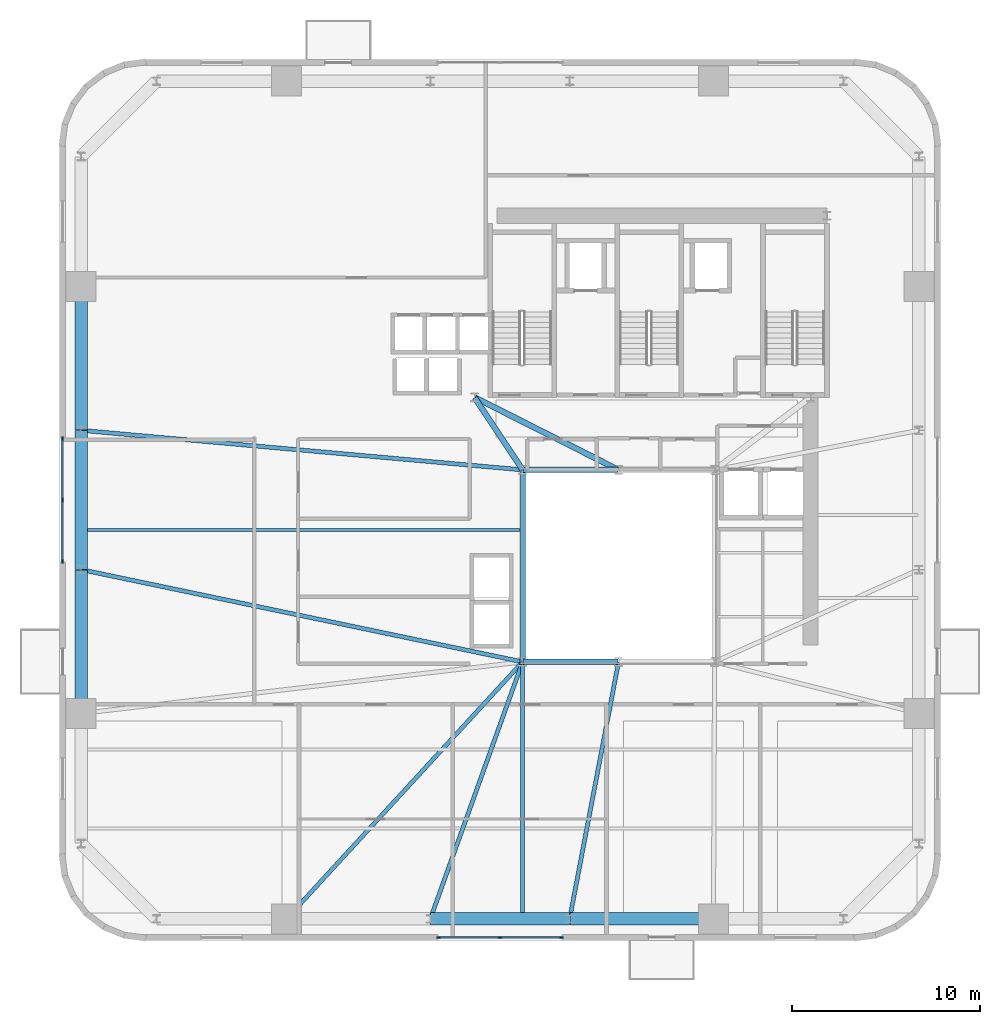
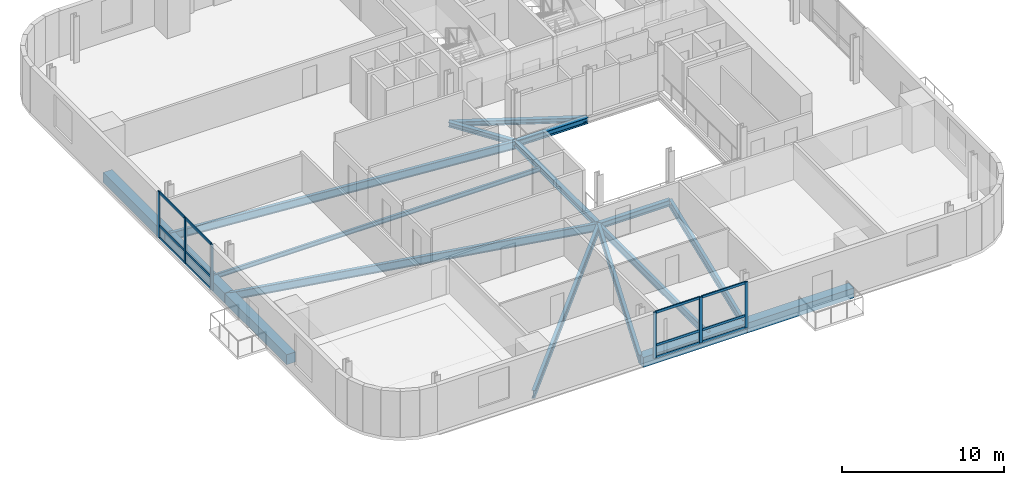
# One storey, part 2 of 13: 18 members, 17 beams, 2 elements without a shape of their own.
"""IFC4 building model written with IfcOpenShell, lengths in metres."""

from ifc_helpers import new_model, si_unit, direction, frame, origin, origin_2d, place, context, subcontext, project, spatial, rectangle, i_section, extrude, source, transform, mapped, material, material_profile, profile_set, type_object, element, aggregate, save


model = new_model("IFC4")

# Units and contexts
model_context = context("Model", 3, precision=1e-05, world=origin(), true_north=direction((0.0, 1.0)))
body_context = subcontext(model_context, "Body", "Model", "MODEL_VIEW")
ifc_project = project(units=[si_unit("LENGTHUNIT", "METRE"), si_unit("AREAUNIT", "SQUARE_METRE"), si_unit("VOLUMEUNIT", "CUBIC_METRE"), si_unit("PLANEANGLEUNIT", "RADIAN"), si_unit("MASSUNIT", "GRAM", prefix="KILO")], contexts=[model_context])

# Site, building, storey
site_placement = place(None, origin())
site = spatial("IfcSite", under=ifc_project, at=site_placement, CompositionType="ELEMENT")
building_placement = place(site_placement, origin())
building = spatial("IfcBuilding", under=site, at=building_placement, Name="Vardaveli Station Tower", CompositionType="ELEMENT")
storey_placement = place(building_placement, frame((0.0, 0.0, 159.39990234375)))
storey = spatial("IfcBuildingStorey", under=building, at=storey_placement, Name="L41", CompositionType="ELEMENT", Elevation=159.39990234375)

# Beams
ifc_material_1 = material(Name="Structural steel S355J2", Category="steel")
ifc_material_profile_1 = material_profile(ifc_material_1, i_section(OverallWidth=0.300048828125, OverallDepth=0.449951171875, WebThickness=0.013916015625, FlangeThickness=0.02587890625, FilletRadius=0.027099609375, at=origin_2d()), Name="HEB 450")
ifc_profile_set_1 = profile_set([ifc_material_profile_1], Name="Structural steel S355J2")
beam_type_1 = type_object("IfcBeamType", Name="BM-HEB450", PredefinedType="BEAM", material=ifc_profile_set_1)
shared_shape_1 = source(origin(), body_context, "Body", "SweptSolid", [
    extrude(i_section(OverallWidth=0.300048828125, OverallDepth=0.449951171875, WebThickness=0.013916015625, FlangeThickness=0.02587890625, FilletRadius=0.027099609375, at=origin_2d()), origin(), (0.0, 0.0, 1.0), 5.06005859375),
])
for number, where, z_axis, x_axis, name in (
    (1, (31.219970703125, 16.60009765625, -0.46484375), (1.0, 0.0, 0.0), (0.0, 1.0, 0.0), "ABM-L41-01"),
    (2, (36.280029296875, 26.800048828125, -0.46484375), (-1.0, 0.0, 0.0), (0.0, -1.0, 0.0), "ABM-L41-05"),
):
    element("IfcBeam", number, at=place(storey_placement, frame(where, z_axis=z_axis, x_axis=x_axis)), inside=storey, type_object=beam_type_1, Name=name, PredefinedType="BEAM", context=body_context, shape_type="MappedRepresentation", body=[
        mapped(shared_shape_1, transform((0.0, 0.0, 0.0), scale=1.0)),
    ])
shared_shape_2 = source(origin(), body_context, "Body", "SweptSolid", [
    extrude(i_section(OverallWidth=0.300048828125, OverallDepth=0.449951171875, WebThickness=0.013916015625, FlangeThickness=0.02587890625, FilletRadius=0.027099609375, at=origin_2d()), origin(), (0.0, 0.0, 1.0), 10.159912109375),
])
beam_1_placement = place(storey_placement, frame((31.199951171875, 26.780029296875, -0.46484375), z_axis=(0.0, -1.0, 0.0), x_axis=(1.0, 0.0, 0.0)))
element("IfcBeam", 3, at=beam_1_placement, inside=storey, type_object=beam_type_1, Name="ABM-L41-06", PredefinedType="BEAM", context=body_context, shape_type="MappedRepresentation", body=[
    mapped(shared_shape_2, transform((0.0, 0.0, 0.0), scale=1.0)),
])
ifc_material_profile_2 = material_profile(ifc_material_1, i_section(OverallWidth=0.300048828125, OverallDepth=0.360107421875, WebThickness=0.012451171875, FlangeThickness=0.0224609375, FilletRadius=0.027099609375, at=origin_2d()), Name="HEB 360")
ifc_profile_set_2 = profile_set([ifc_material_profile_2], Name="Structural steel S355J2")
beam_type_2 = type_object("IfcBeamType", Name="BM-HEB360", PredefinedType="BEAM", material=ifc_profile_set_2)
shared_shape_3 = source(origin(), body_context, "Body", "SweptSolid", [
    extrude(i_section(OverallWidth=0.300048828125, OverallDepth=0.360107421875, WebThickness=0.012451171875, FlangeThickness=0.0224609375, FilletRadius=0.027099609375, at=origin_2d()), origin(), (0.0, 0.0, 1.0), 4.577880859375),
])
beam_2_placement = place(storey_placement, frame((31.18896484375, 26.816650390625, -0.419921875), z_axis=(-0.55218702139, 0.833720272879, 0.0), x_axis=(-0.833720272879, -0.55218702139, 0.0)))
element("IfcBeam", 4, at=beam_2_placement, inside=storey, type_object=beam_type_2, Name="CBM-L41-01", PredefinedType="BEAM", context=body_context, shape_type="MappedRepresentation", body=[
    mapped(shared_shape_3, transform((0.0, 0.0, 0.0), scale=1.0)),
])
shared_shape_4 = source(origin(), body_context, "Body", "SweptSolid", [
    extrude(i_section(OverallWidth=0.300048828125, OverallDepth=0.360107421875, WebThickness=0.012451171875, FlangeThickness=0.0224609375, FilletRadius=0.027099609375, at=origin_2d()), origin(), (0.0, 0.0, 1.0), 8.524169921875),
])
beam_3_placement = place(storey_placement, frame((28.66796875, 30.64111328125, -0.419921875), z_axis=(0.893255584708, -0.449549174605, 0.0), x_axis=(0.449549174605, 0.893255584708, 0.0)))
element("IfcBeam", 5, at=beam_3_placement, inside=storey, type_object=beam_type_2, Name="CBM-L41-03", PredefinedType="BEAM", context=body_context, shape_type="MappedRepresentation", body=[
    mapped(shared_shape_4, transform((0.0, 0.0, 0.0), scale=1.0)),
])
ifc_material_2 = material(Name="Precast concrete C45/55", Category="concrete")
ifc_material_profile_3 = material_profile(ifc_material_2, rectangle(XDim=0.64990234375, YDim=0.75, at=origin_2d()), Name="LPB 650x750")
ifc_profile_set_3 = profile_set([ifc_material_profile_3], Name="Precast concrete C45/55")
beam_type_3 = type_object("IfcBeamType", Name="BM-LPB-750", PredefinedType="BEAM", material=ifc_profile_set_3)
shared_shape_5 = source(origin(), body_context, "Body", "SweptSolid", [
    extrude(rectangle(XDim=0.64990234375, YDim=0.75, at=origin_2d()), origin(), (0.0, 0.0, 1.0), 7.60009765625),
])
for number, where, z_axis, x_axis, name in (
    (6, (33.719970703125, 2.949951171875, -0.614990234375), (1.0, 0.0, 0.0), (0.0, 1.0, 0.0), "RBM-L41-03"),
    (7, (7.75, 36.52001953125, -0.614990234375), (0.0, -1.0, 0.0), (1.0, 0.0, 0.0), "RBM-L41-19"),
    (8, (7.75, 21.47998046875, -0.614990234375), (0.0, -1.0, 0.0), (1.0, 0.0, 0.0), "RBM-L41-21"),
):
    element("IfcBeam", number, at=place(storey_placement, frame(where, z_axis=z_axis, x_axis=x_axis)), inside=storey, type_object=beam_type_3, Name=name, PredefinedType="BEAM", context=body_context, shape_type="MappedRepresentation", body=[
        mapped(shared_shape_5, transform((0.0, 0.0, 0.0), scale=1.0)),
    ])
shared_shape_6 = source(origin(), body_context, "Body", "SweptSolid", [
    extrude(rectangle(XDim=0.64990234375, YDim=0.75, at=origin_2d()), origin(), (0.0, 0.0, 1.0), 7.35986328125),
])
for number, where, z_axis, x_axis, name in (
    (9, (26.320068359375, 2.949951171875, -0.614990234375), (1.0, 0.0, 0.0), (0.0, 1.0, 0.0), "RBM-L41-02"),
    (10, (7.75, 28.8798828125, -0.614990234375), (0.0, -1.0, 0.0), (1.0, 0.0, 0.0), "RBM-L41-20"),
):
    element("IfcBeam", number, at=place(storey_placement, frame(where, z_axis=z_axis, x_axis=x_axis)), inside=storey, type_object=beam_type_3, Name=name, PredefinedType="BEAM", context=body_context, shape_type="MappedRepresentation", body=[
        mapped(shared_shape_6, transform((0.0, 0.0, 0.0), scale=1.0)),
    ])
ifc_material_profile_4 = material_profile(ifc_material_1, i_section(OverallWidth=0.2099609375, OverallDepth=0.550048828125, WebThickness=0.010986328125, FlangeThickness=0.01708984375, FilletRadius=0.02392578125, at=origin_2d()), Name="IPE 550")
ifc_profile_set_4 = profile_set([ifc_material_profile_4], Name="Structural steel S355J2")
beam_type_4 = type_object("IfcBeamType", Name="BM-IPE550", PredefinedType="BEAM", material=ifc_profile_set_4)
shared_shape_7 = source(origin(), body_context, "Body", "SweptSolid", [
    extrude(i_section(OverallWidth=0.2099609375, OverallDepth=0.550048828125, WebThickness=0.010986328125, FlangeThickness=0.01708984375, FilletRadius=0.02392578125, at=origin_2d()), origin(), (0.0, 0.0, 1.0), 13.469970703125),
])
beam_4_placement = place(storey_placement, frame((31.199951171875, 2.989990234375, -0.514892578125), z_axis=(0.0, 1.0, 0.0), x_axis=(-1.0, 0.0, 0.0)))
element("IfcBeam", 11, at=beam_4_placement, inside=storey, type_object=beam_type_4, Name="NSM-L41-S1", PredefinedType="BEAM", context=body_context, shape_type="MappedRepresentation", body=[
    mapped(shared_shape_7, transform((0.0, 0.0, 0.0), scale=1.0)),
])
ifc_material_profile_5 = material_profile(ifc_material_1, i_section(OverallWidth=0.159912109375, OverallDepth=0.330078125, WebThickness=0.007568359375, FlangeThickness=0.011474609375, FilletRadius=0.01806640625, at=origin_2d()), Name="IPE 330")
ifc_profile_set_5 = profile_set([ifc_material_profile_5], Name="Structural steel S355J2")
beam_type_5 = type_object("IfcBeamType", Name="BM-IPE330", PredefinedType="JOIST", material=ifc_profile_set_5)
shared_shape_8 = source(origin(), body_context, "Body", "SweptSolid", [
    extrude(i_section(OverallWidth=0.159912109375, OverallDepth=0.330078125, WebThickness=0.007568359375, FlangeThickness=0.011474609375, FilletRadius=0.01806640625, at=origin_2d()), origin(), (0.0, 0.0, 1.0), 23.2978515625),
])
beam_5_placement = place(storey_placement, frame((7.7900390625, 23.60009765625, -0.40478515625), z_axis=(1.0, 0.0, 0.0), x_axis=(0.0, 1.0, 0.0)))
element("IfcBeam", 12, at=beam_5_placement, inside=storey, type_object=beam_type_5, Name="SJ-L41-W06", PredefinedType="JOIST", context=body_context, shape_type="MappedRepresentation", body=[
    mapped(shared_shape_8, transform((0.0, 0.0, 0.0), scale=1.0)),
])
ifc_material_profile_6 = material_profile(ifc_material_1, i_section(OverallWidth=0.219970703125, OverallDepth=0.60009765625, WebThickness=0.011962890625, FlangeThickness=0.01904296875, FilletRadius=0.02392578125, at=origin_2d()), Name="IPE 600")
ifc_profile_set_6 = profile_set([ifc_material_profile_6], Name="Structural steel S355J2")
beam_type_6 = type_object("IfcBeamType", Name="BM-IPE600", PredefinedType="BEAM", material=ifc_profile_set_6)
shared_shape_9 = source(origin(), body_context, "Body", "SweptSolid", [
    extrude(i_section(OverallWidth=0.219970703125, OverallDepth=0.60009765625, WebThickness=0.011962890625, FlangeThickness=0.01904296875, FilletRadius=0.02392578125, at=origin_2d()), origin(), (0.0, 0.0, 1.0), 18.49560546875),
])
beam_6_placement = place(storey_placement, frame((18.673583984375, 2.96484375, -0.539794921875), z_axis=(0.676535341891, 0.736410165039, 0.0), x_axis=(-0.736410165039, 0.676535341891, 0.0)))
element("IfcBeam", 13, at=beam_6_placement, inside=storey, type_object=beam_type_6, Name="GBM-L41-01", PredefinedType="BEAM", context=body_context, shape_type="MappedRepresentation", body=[
    mapped(shared_shape_9, transform((0.0, 0.0, 0.0), scale=1.0)),
])
shared_shape_10 = source(origin(), body_context, "Body", "SweptSolid", [
    extrude(i_section(OverallWidth=0.219970703125, OverallDepth=0.60009765625, WebThickness=0.011962890625, FlangeThickness=0.01904296875, FilletRadius=0.02392578125, at=origin_2d()), origin(), (0.0, 0.0, 1.0), 14.462890625),
])
beam_7_placement = place(storey_placement, frame((26.306640625, 2.96875, -0.539794921875), z_axis=(0.337880090533, 0.941189165057, 0.0), x_axis=(-0.941189165057, 0.337880090533, 0.0)))
element("IfcBeam", 14, at=beam_7_placement, inside=storey, type_object=beam_type_6, Name="GBM-L41-02", PredefinedType="BEAM", context=body_context, shape_type="MappedRepresentation", body=[
    mapped(shared_shape_10, transform((0.0, 0.0, 0.0), scale=1.0)),
])
shared_shape_11 = source(origin(), body_context, "Body", "SweptSolid", [
    extrude(i_section(OverallWidth=0.219970703125, OverallDepth=0.60009765625, WebThickness=0.011962890625, FlangeThickness=0.01904296875, FilletRadius=0.02392578125, at=origin_2d()), origin(), (0.0, 0.0, 1.0), 13.855224609375),
])
beam_8_placement = place(storey_placement, frame((33.703857421875, 2.9697265625, -0.539794921875), z_axis=(0.187097533125, 0.982341342456, 0.0), x_axis=(-0.982341342456, 0.187097533125, 0.0)))
element("IfcBeam", 15, at=beam_8_placement, inside=storey, type_object=beam_type_6, Name="GBM-L41-03", PredefinedType="BEAM", context=body_context, shape_type="MappedRepresentation", body=[
    mapped(shared_shape_11, transform((0.0, 0.0, 0.0), scale=1.0)),
])
shared_shape_12 = source(origin(), body_context, "Body", "SweptSolid", [
    extrude(i_section(OverallWidth=0.219970703125, OverallDepth=0.60009765625, WebThickness=0.011962890625, FlangeThickness=0.01904296875, FilletRadius=0.02392578125, at=origin_2d()), origin(), (0.0, 0.0, 1.0), 23.50390625),
])
beam_9_placement = place(storey_placement, frame((7.77001953125, 28.898193359375, -0.539794921875), z_axis=(0.996014142198, -0.08919545135, 0.0), x_axis=(0.08919545135, 0.996014142198, 0.0)))
element("IfcBeam", 16, at=beam_9_placement, inside=storey, type_object=beam_type_6, Name="GBM-L41-08", PredefinedType="BEAM", context=body_context, shape_type="MappedRepresentation", body=[
    mapped(shared_shape_12, transform((0.0, 0.0, 0.0), scale=1.0)),
])
shared_shape_13 = source(origin(), body_context, "Body", "SweptSolid", [
    extrude(i_section(OverallWidth=0.219970703125, OverallDepth=0.60009765625, WebThickness=0.011962890625, FlangeThickness=0.01904296875, FilletRadius=0.02392578125, at=origin_2d()), origin(), (0.0, 0.0, 1.0), 23.91650390625),
])
beam_10_placement = place(storey_placement, frame((7.76953125, 21.495849609375, -0.539794921875), z_axis=(0.978858547354, -0.204538368703, 0.0), x_axis=(0.204538368703, 0.978858547354, 0.0)))
element("IfcBeam", 17, at=beam_10_placement, inside=storey, type_object=beam_type_6, Name="GBM-L41-09", PredefinedType="BEAM", context=body_context, shape_type="MappedRepresentation", body=[
    mapped(shared_shape_13, transform((0.0, 0.0, 0.0), scale=1.0)),
])

# Curtain wall, members
ifc_material_3 = material(Name="Travertine stone and solar-control glass", Category="masonry")
curtain_wall_type = type_object("IfcCurtainWallType", Name="CW-SYS-2", PredefinedType="NOTDEFINED", material=ifc_material_3)
curtain_wall_1_placement = place(storey_placement, origin())
curtain_wall_1 = element("IfcCurtainWall", 18, at=curtain_wall_1_placement, inside=storey, type_object=curtain_wall_type, Name="CW-L41-S", PredefinedType="NOTDEFINED")
ifc_material_4 = material(Name="Anodised aluminium alloy 6063-T6", Category="aluminium")
ifc_material_profile_7 = material_profile(ifc_material_4, rectangle(XDim=0.0849609375, YDim=0.179931640625, at=origin_2d()), Name="CWT 85x180")
ifc_profile_set_7 = profile_set([ifc_material_profile_7], Name="Anodised aluminium alloy 6063-T6")
member_type_1 = type_object("IfcMemberType", Name="CW-SYS-2-TRAN", PredefinedType="NOTDEFINED", material=ifc_profile_set_7)
shared_shape_14 = source(origin(), body_context, "Body", "SweptSolid", [
    extrude(rectangle(XDim=0.0849609375, YDim=0.179931640625, at=origin_2d()), origin(), (0.0, 0.0, 1.0), 3.172607421875),
])
member_1_placement = place(storey_placement, frame((26.784912109375, 1.9599609375, 0.04248046875), z_axis=(1.0, 0.0, 0.0), x_axis=(0.0, 1.0, 0.0)))
member_1 = element("IfcMember", 19, at=member_1_placement, type_object=member_type_1, Name="CW-2 transom 1.1", ObjectType="TRANSOM", PredefinedType="USERDEFINED", context=body_context, shape_type="MappedRepresentation", body=[
    mapped(shared_shape_14, transform((0.0, 0.0, 0.0), scale=1.0)),
])
member_2_placement = place(storey_placement, frame((26.784912109375, 1.9599609375, 0.9501953125), z_axis=(1.0, 0.0, 0.0), x_axis=(0.0, 1.0, 0.0)))
member_2 = element("IfcMember", 20, at=member_2_placement, type_object=member_type_1, Name="CW-2 transom 1.2", ObjectType="TRANSOM", PredefinedType="USERDEFINED", context=body_context, shape_type="MappedRepresentation", body=[
    mapped(shared_shape_14, transform((0.0, 0.0, 0.0), scale=1.0)),
])
member_3_placement = place(storey_placement, frame((26.784912109375, 1.9599609375, 3.41748046875), z_axis=(1.0, 0.0, 0.0), x_axis=(0.0, 1.0, 0.0)))
member_3 = element("IfcMember", 21, at=member_3_placement, type_object=member_type_1, Name="CW-2 transom 1.3", ObjectType="TRANSOM", PredefinedType="USERDEFINED", context=body_context, shape_type="MappedRepresentation", body=[
    mapped(shared_shape_14, transform((0.0, 0.0, 0.0), scale=1.0)),
])
member_4_placement = place(storey_placement, frame((30.04248046875, 1.9599609375, 0.04248046875), z_axis=(1.0, 0.0, 0.0), x_axis=(0.0, 1.0, 0.0)))
member_4 = element("IfcMember", 22, at=member_4_placement, type_object=member_type_1, Name="CW-2 transom 2.1", ObjectType="TRANSOM", PredefinedType="USERDEFINED", context=body_context, shape_type="MappedRepresentation", body=[
    mapped(shared_shape_14, transform((0.0, 0.0, 0.0), scale=1.0)),
])
member_5_placement = place(storey_placement, frame((30.04248046875, 1.9599609375, 0.9501953125), z_axis=(1.0, 0.0, 0.0), x_axis=(0.0, 1.0, 0.0)))
member_5 = element("IfcMember", 23, at=member_5_placement, type_object=member_type_1, Name="CW-2 transom 2.2", ObjectType="TRANSOM", PredefinedType="USERDEFINED", context=body_context, shape_type="MappedRepresentation", body=[
    mapped(shared_shape_14, transform((0.0, 0.0, 0.0), scale=1.0)),
])
member_6_placement = place(storey_placement, frame((30.04248046875, 1.9599609375, 3.41748046875), z_axis=(1.0, 0.0, 0.0), x_axis=(0.0, 1.0, 0.0)))
member_6 = element("IfcMember", 24, at=member_6_placement, type_object=member_type_1, Name="CW-2 transom 2.3", ObjectType="TRANSOM", PredefinedType="USERDEFINED", context=body_context, shape_type="MappedRepresentation", body=[
    mapped(shared_shape_14, transform((0.0, 0.0, 0.0), scale=1.0)),
])

curtain_wall_2_placement = place(storey_placement, origin())
curtain_wall_2 = element("IfcCurtainWall", 25, at=curtain_wall_2_placement, inside=storey, type_object=curtain_wall_type, Name="CW-L41-W", PredefinedType="NOTDEFINED")
member_7_placement = place(storey_placement, frame((6.760009765625, 28.4150390625, 0.04248046875), z_axis=(0.0, -1.0, 0.0), x_axis=(1.0, 0.0, 0.0)))
member_7 = element("IfcMember", 26, at=member_7_placement, type_object=member_type_1, Name="CW-2 transom 1.1", ObjectType="TRANSOM", PredefinedType="USERDEFINED", context=body_context, shape_type="MappedRepresentation", body=[
    mapped(shared_shape_14, transform((0.0, 0.0, 0.0), scale=1.0)),
])
member_8_placement = place(storey_placement, frame((6.760009765625, 28.4150390625, 0.9501953125), z_axis=(0.0, -1.0, 0.0), x_axis=(1.0, 0.0, 0.0)))
member_8 = element("IfcMember", 27, at=member_8_placement, type_object=member_type_1, Name="CW-2 transom 1.2", ObjectType="TRANSOM", PredefinedType="USERDEFINED", context=body_context, shape_type="MappedRepresentation", body=[
    mapped(shared_shape_14, transform((0.0, 0.0, 0.0), scale=1.0)),
])
member_9_placement = place(storey_placement, frame((6.760009765625, 28.4150390625, 3.41748046875), z_axis=(0.0, -1.0, 0.0), x_axis=(1.0, 0.0, 0.0)))
member_9 = element("IfcMember", 28, at=member_9_placement, type_object=member_type_1, Name="CW-2 transom 1.3", ObjectType="TRANSOM", PredefinedType="USERDEFINED", context=body_context, shape_type="MappedRepresentation", body=[
    mapped(shared_shape_14, transform((0.0, 0.0, 0.0), scale=1.0)),
])
shared_shape_15 = source(origin(), body_context, "Body", "SweptSolid", [
    extrude(rectangle(XDim=0.0849609375, YDim=0.179931640625, at=origin_2d()), origin(), (0.0, 0.0, 1.0), 3.17236328125),
])
member_10_placement = place(storey_placement, frame((6.760009765625, 25.157470703125, 0.04248046875), z_axis=(0.0, -1.0, 0.0), x_axis=(1.0, 0.0, 0.0)))
member_10 = element("IfcMember", 29, at=member_10_placement, type_object=member_type_1, Name="CW-2 transom 2.1", ObjectType="TRANSOM", PredefinedType="USERDEFINED", context=body_context, shape_type="MappedRepresentation", body=[
    mapped(shared_shape_15, transform((0.0, 0.0, 0.0), scale=1.0)),
])
member_11_placement = place(storey_placement, frame((6.760009765625, 25.157470703125, 0.9501953125), z_axis=(0.0, -1.0, 0.0), x_axis=(1.0, 0.0, 0.0)))
member_11 = element("IfcMember", 30, at=member_11_placement, type_object=member_type_1, Name="CW-2 transom 2.2", ObjectType="TRANSOM", PredefinedType="USERDEFINED", context=body_context, shape_type="MappedRepresentation", body=[
    mapped(shared_shape_15, transform((0.0, 0.0, 0.0), scale=1.0)),
])
member_12_placement = place(storey_placement, frame((6.760009765625, 25.157470703125, 3.41748046875), z_axis=(0.0, -1.0, 0.0), x_axis=(1.0, 0.0, 0.0)))
member_12 = element("IfcMember", 31, at=member_12_placement, type_object=member_type_1, Name="CW-2 transom 2.3", ObjectType="TRANSOM", PredefinedType="USERDEFINED", context=body_context, shape_type="MappedRepresentation", body=[
    mapped(shared_shape_15, transform((0.0, 0.0, 0.0), scale=1.0)),
])

# Member
ifc_material_profile_8 = material_profile(ifc_material_4, rectangle(XDim=0.0849609375, YDim=0.219970703125, at=origin_2d()), Name="CWM 85x220")
ifc_profile_set_8 = profile_set([ifc_material_profile_8], Name="Anodised aluminium alloy 6063-T6")
member_type_2 = type_object("IfcMemberType", Name="CW-SYS-2-MULL", PredefinedType="MULLION", material=ifc_profile_set_8)
shared_shape_16 = source(origin(), body_context, "Body", "SweptSolid", [
    extrude(rectangle(XDim=0.0849609375, YDim=0.219970703125, at=origin_2d()), origin(), (0.0, 0.0, 1.0), 3.460205078125),
])
member_13_placement = place(storey_placement, frame((26.742431640625, 1.9599609375, 0.0), z_axis=(0.0, 0.0, 1.0), x_axis=(0.0, 1.0, 0.0)))
member_13 = element("IfcMember", 32, at=member_13_placement, type_object=member_type_2, Name="CW-2 mullion 1", PredefinedType="MULLION", context=body_context, shape_type="MappedRepresentation", body=[
    mapped(shared_shape_16, transform((0.0, 0.0, 0.0), scale=1.0)),
])

member_14_placement = place(storey_placement, frame((30.0, 1.9599609375, 0.0), z_axis=(0.0, 0.0, 1.0), x_axis=(0.0, 1.0, 0.0)))
member_14 = element("IfcMember", 33, at=member_14_placement, type_object=member_type_2, Name="CW-2 mullion 2", PredefinedType="MULLION", context=body_context, shape_type="MappedRepresentation", body=[
    mapped(shared_shape_16, transform((0.0, 0.0, 0.0), scale=1.0)),
])

member_15_placement = place(storey_placement, frame((33.257568359375, 1.9599609375, 0.0), z_axis=(0.0, 0.0, 1.0), x_axis=(0.0, 1.0, 0.0)))
member_15 = element("IfcMember", 34, at=member_15_placement, type_object=member_type_2, Name="CW-2 mullion 3", PredefinedType="MULLION", context=body_context, shape_type="MappedRepresentation", body=[
    mapped(shared_shape_16, transform((0.0, 0.0, 0.0), scale=1.0)),
])

aggregate(curtain_wall_1, [member_13, member_14, member_15, member_1, member_2, member_3, member_4, member_5, member_6])

member_16_placement = place(storey_placement, frame((6.760009765625, 28.45751953125, 0.0), z_axis=(0.0, 0.0, 1.0), x_axis=(1.0, 0.0, 0.0)))
member_16 = element("IfcMember", 35, at=member_16_placement, type_object=member_type_2, Name="CW-2 mullion 1", PredefinedType="MULLION", context=body_context, shape_type="MappedRepresentation", body=[
    mapped(shared_shape_16, transform((0.0, 0.0, 0.0), scale=1.0)),
])

member_17_placement = place(storey_placement, frame((6.760009765625, 25.199951171875, 0.0), z_axis=(0.0, 0.0, 1.0), x_axis=(1.0, 0.0, 0.0)))
member_17 = element("IfcMember", 36, at=member_17_placement, type_object=member_type_2, Name="CW-2 mullion 2", PredefinedType="MULLION", context=body_context, shape_type="MappedRepresentation", body=[
    mapped(shared_shape_16, transform((0.0, 0.0, 0.0), scale=1.0)),
])

member_18_placement = place(storey_placement, frame((6.760009765625, 21.9423828125, 0.0), z_axis=(0.0, 0.0, 1.0), x_axis=(1.0, 0.0, 0.0)))
member_18 = element("IfcMember", 37, at=member_18_placement, type_object=member_type_2, Name="CW-2 mullion 3", PredefinedType="MULLION", context=body_context, shape_type="MappedRepresentation", body=[
    mapped(shared_shape_16, transform((0.0, 0.0, 0.0), scale=1.0)),
])

aggregate(curtain_wall_2, [member_16, member_17, member_18, member_7, member_8, member_9, member_10, member_11, member_12])

save(model, "model.ifc")
